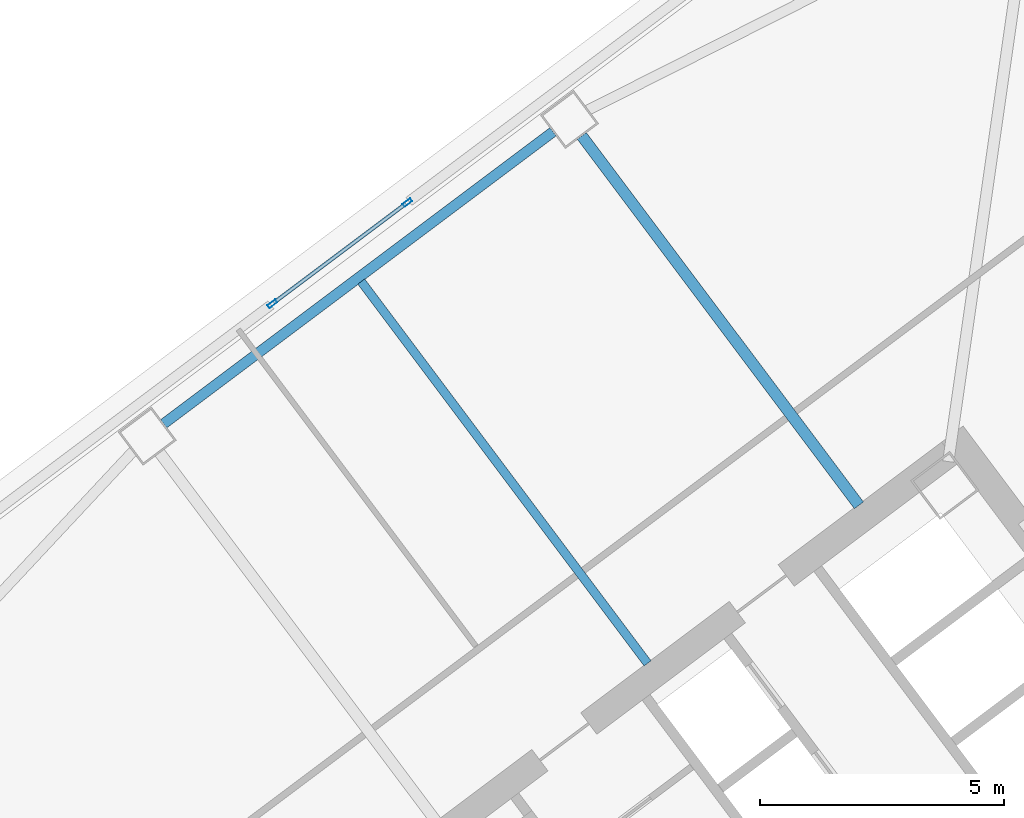
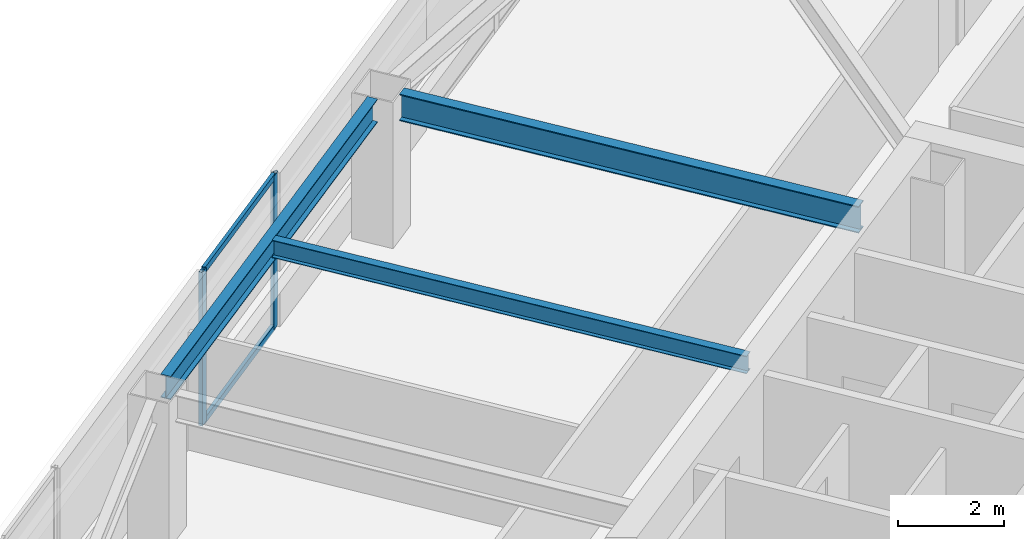
# One storey, part 28 of 44: 4 members, 3 beams, 1 element without a shape of its own.
"""IFC4 building model written with IfcOpenShell, lengths in metres."""

import ifcopenshell
import ifcopenshell.guid

model = None  # the IFC model being written
_history = None  # IfcOwnerHistory: only IFC2X3 demands one
_inside = {}  # id of a spatial element -> (the spatial element, [elements in it])
_under = {}  # id of a project, library or spatial element -> (it, [spatial elements below it])
_declared = {}  # id of a project -> (the project, [libraries it declares])
_typed = {}  # id of a type object -> (the type object, [elements of that type])
_made_of = {}  # id of a material, layer set ... -> (it, [elements and type objects made of it])


def new_model(schema):
    """Start an empty IFC model of exactly this schema.

    Asked for "IFC4X3", IfcOpenShell would pick the latest addendum, in which some entities
    have other attributes; the version numbers below select the first issue.
    IFC2X3 requires an IfcOwnerHistory on every rooted entity: one is made here for all.
    """
    global model, _history
    if schema == "IFC4X3":
        model = ifcopenshell.file(schema_version=(4, 3, 0, 0))
    else:
        model = ifcopenshell.file(schema=schema)
    _inside.clear()
    _under.clear()
    _declared.clear()
    _typed.clear()
    _made_of.clear()
    _history = None
    if model.schema == "IFC2X3":
        org = make("IfcOrganization", Name="unknown")
        user = make(
            "IfcPersonAndOrganization",
            ThePerson=make("IfcPerson", FamilyName="unknown"),
            TheOrganization=org,
        )
        app = make(
            "IfcApplication",
            ApplicationDeveloper=org,
            Version="unknown",
            ApplicationFullName="unknown",
            ApplicationIdentifier="unknown",
        )
        _history = make(
            "IfcOwnerHistory",
            OwningUser=user,
            OwningApplication=app,
            ChangeAction="ADDED",
            CreationDate=0,
        )
    return model


def make(cls, **values):
    """One entity of the class cls with the attributes given. An attribute that is None is left unset."""
    return model.create_entity(
        cls, **{name: value for name, value in values.items() if value is not None}
    )


def rooted(cls, **values):
    """An entity with a GlobalId (a new one), such as an element, a storey or a relation."""
    return make(cls, GlobalId=ifcopenshell.guid.new(), OwnerHistory=_history, **values)


def si_unit(unit_type, name, prefix=None):
    """IfcSIUnit, for example si_unit("LENGTHUNIT", "METRE", prefix="MILLI")."""
    return make("IfcSIUnit", UnitType=unit_type, Prefix=prefix, Name=name)


def assignment(units):
    """IfcUnitAssignment: the units of a project."""
    return None if units is None else make("IfcUnitAssignment", Units=units)


def point(xyz):
    """IfcCartesianPoint."""
    return None if xyz is None else make("IfcCartesianPoint", Coordinates=xyz)


def direction(xyz):
    """IfcDirection."""
    return None if xyz is None else make("IfcDirection", DirectionRatios=xyz)


def frame(location, z_axis=None, x_axis=None):
    """IfcAxis2Placement3D, a coordinate frame: its origin and axes. An axis left out is left unset."""
    return make(
        "IfcAxis2Placement3D",
        Location=point(location),
        Axis=direction(z_axis),
        RefDirection=direction(x_axis),
    )


def frame_2d(location, x_axis=None):
    """IfcAxis2Placement2D, a coordinate frame in the plane: its origin and x axis."""
    return make(
        "IfcAxis2Placement2D", Location=point(location), RefDirection=direction(x_axis)
    )


def origin():
    """The frame at (0, 0, 0) with its axes left unset."""
    return frame((0.0, 0.0, 0.0))


def origin_2d():
    """The frame at (0, 0) in the plane with its x axis left unset."""
    return frame_2d((0.0, 0.0))


def place(relative_to, where):
    """IfcLocalPlacement: puts the frame where relative to a parent placement (None: the world)."""
    return make(
        "IfcLocalPlacement", PlacementRelTo=relative_to, RelativePlacement=where
    )


def context(
    kind, dimensions, precision=None, world=None, true_north=None, identifier=None
):
    """IfcGeometricRepresentationContext, for example the 3D "Model" context."""
    return make(
        "IfcGeometricRepresentationContext",
        ContextIdentifier=identifier,
        ContextType=kind,
        CoordinateSpaceDimension=dimensions,
        Precision=precision,
        WorldCoordinateSystem=world,
        TrueNorth=true_north,
    )


def subcontext(parent, identifier, kind, view, scale=None):
    """IfcGeometricRepresentationSubContext, for example "Body" below "Model"."""
    return make(
        "IfcGeometricRepresentationSubContext",
        ContextIdentifier=identifier,
        ContextType=kind,
        ParentContext=parent,
        TargetScale=scale,
        TargetView=view,
    )


def project(units=None, contexts=None):
    """IfcProject with its units and contexts."""
    return rooted(
        "IfcProject",
        Name="project",
        RepresentationContexts=contexts,
        UnitsInContext=assignment(units),
    )


def spatial(cls, under=None, at=None, **own):
    """A site, building, storey or space (cls), placed at a placement, below another one or the project."""
    s = rooted(cls, ObjectPlacement=at, **own)
    if under is not None:
        _under.setdefault(under.id(), (under, []))[1].append(s)
    return s


def profile(cls, at=None, kind="AREA", **sizes):
    """A parametric profile (cls). Its sizes go by their IFC names, for example OverallWidth=200.0."""
    return make(cls, ProfileType=kind, Position=at, **sizes)


def hollow_rectangle(**sizes):
    """IfcRectangleHollowProfileDef."""
    return profile("IfcRectangleHollowProfileDef", **sizes)


def i_section(**sizes):
    """IfcIShapeProfileDef."""
    return profile("IfcIShapeProfileDef", **sizes)


def extrude(swept, where, along, depth):
    """IfcExtrudedAreaSolid: the profile swept, set in the frame where, extruded along a direction by depth."""
    return make(
        "IfcExtrudedAreaSolid",
        SweptArea=swept,
        Position=where,
        ExtrudedDirection=direction(along),
        Depth=depth,
    )


def shape(context_of_items, identifier, shape_type, items):
    """IfcShapeRepresentation: the items that make up one representation, for example the "Body"."""
    return make(
        "IfcShapeRepresentation",
        ContextOfItems=context_of_items,
        RepresentationIdentifier=identifier,
        RepresentationType=shape_type,
        Items=items,
    )


def material(Name=None, Category=None):
    """IfcMaterial."""
    return make("IfcMaterial", Name=Name, Category=Category)


def material_profile(
    of_material, cross_section, Name=None, Category=None, Priority=None
):
    """IfcMaterialProfile: a cross section and its material."""
    return make(
        "IfcMaterialProfile",
        Name=Name,
        Material=of_material,
        Profile=cross_section,
        Priority=Priority,
        Category=Category,
    )


def profile_set(profiles, Name=None, composite=None):
    """IfcMaterialProfileSet."""
    return make(
        "IfcMaterialProfileSet",
        Name=Name,
        MaterialProfiles=profiles,
        CompositeProfile=composite,
    )


def made_of(thing, what):
    """Note that an element or type object is made of a material, layer set ...; save() writes the relation."""
    if what is not None:
        _made_of.setdefault(what.id(), (what, []))[1].append(thing)
    return thing


def type_object(cls, material=None, **own):
    """A type object (cls), such as IfcWallType, which elements share."""
    return made_of(rooted(cls, **own), material)


def element(
    cls,
    number,
    at=None,
    inside=None,
    cuts=None,
    type_object=None,
    material=None,
    context=None,
    identifier="Body",
    shape_type=None,
    held_by="IfcProductDefinitionShape",
    body=None,
    shapes=None,
    **own,
):
    """One element of the class cls, such as IfcWall. Its Tag is "e" and its number.

    at: its placement. inside: the storey or other place that contains it. cuts: it is an
    opening in that element (IfcRelVoidsElement). A single representation is given by context,
    identifier, shape_type and body (its items); several are given by shapes. held_by: the class
    of the entity that holds the representations. save() writes the other relations.
    """
    e = rooted(cls, Tag="e%d" % number, ObjectPlacement=at, **own)
    if body is not None:
        shapes = [shape(context, identifier, shape_type, body)]
    if shapes is not None:
        e.Representation = make(held_by, Representations=shapes)
    if inside is not None:
        _inside.setdefault(inside.id(), (inside, []))[1].append(e)
    if cuts is not None:
        rooted(
            "IfcRelVoidsElement", RelatingBuildingElement=cuts, RelatedOpeningElement=e
        )
    if type_object is not None:
        _typed.setdefault(type_object.id(), (type_object, []))[1].append(e)
    return made_of(e, material)


def aggregate(whole, parts):
    """IfcRelAggregates: a whole, such as a stair, and the parts it consists of."""
    return rooted("IfcRelAggregates", RelatingObject=whole, RelatedObjects=parts)


def save(model, path):
    """Write the relations noted so far, then the file.

    IfcRelAggregates (storeys below a building ...), IfcRelContainedInSpatialStructure (elements
    in a storey), IfcRelDefinesByType, IfcRelAssociatesMaterial and IfcRelDeclares: one each for
    every whole, place, type object, material and project.
    """
    for whole, parts in _under.values():
        aggregate(whole, parts)
    for where, things in _inside.values():
        rooted(
            "IfcRelContainedInSpatialStructure",
            RelatedElements=things,
            RelatingStructure=where,
        )
    for kind, things in _typed.values():
        rooted("IfcRelDefinesByType", RelatedObjects=things, RelatingType=kind)
    for what, things in _made_of.values():
        rooted("IfcRelAssociatesMaterial", RelatedObjects=things, RelatingMaterial=what)
    for by, libraries in _declared.values():
        rooted("IfcRelDeclares", RelatingContext=by, RelatedDefinitions=libraries)
    model.write(path)


model = new_model("IFC4")

# Units and contexts
model_context = context("Model", 3, precision=1e-05, world=origin(), true_north=direction((0.0, 1.0)))
body_context = subcontext(model_context, "Body", "Model", "MODEL_VIEW")
ifc_project = project(units=[si_unit("LENGTHUNIT", "METRE"), si_unit("AREAUNIT", "SQUARE_METRE"), si_unit("VOLUMEUNIT", "CUBIC_METRE"), si_unit("PLANEANGLEUNIT", "RADIAN"), si_unit("MASSUNIT", "GRAM", prefix="KILO")], contexts=[model_context])

# Site, building, storey
site_placement = place(None, origin())
site = spatial("IfcSite", under=ifc_project, at=site_placement, CompositionType="ELEMENT")
building_placement = place(site_placement, origin())
building = spatial("IfcBuilding", under=site, at=building_placement, Name="Tashvorn Skyway Center", CompositionType="ELEMENT")
storey_placement = place(building_placement, frame((0.0, 0.0, 128.60009765625)))
storey = spatial("IfcBuildingStorey", under=building, at=storey_placement, Name="L34", CompositionType="ELEMENT", Elevation=128.60009765625)

# Beams
ifc_material_1 = material(Name="Steel ASTM A992 Grade 50", Category="steel")
ifc_material_profile_1 = material_profile(ifc_material_1, i_section(OverallWidth=0.22998046875, OverallDepth=0.616943359375, WebThickness=0.01318359375, FlangeThickness=0.022216796875, at=origin_2d()), Name="W24X94")
ifc_profile_set_1 = profile_set([ifc_material_profile_1], Name="Steel ASTM A992 Grade 50")
beam_type_1 = type_object("IfcBeamType", Name="BM-BEAM-W24X94", PredefinedType="BEAM", material=ifc_profile_set_1)
beam_1_placement = place(storey_placement, frame((107.98193359375, 49.02392578125, 3.0615234375), z_axis=(0.600020667896, -0.799984498661, 0.0), x_axis=(0.799984498661, 0.600020667896, 0.0)))
element("IfcBeam", 1, at=beam_1_placement, inside=storey, type_object=beam_type_1, Name="Tower 2 L34 Primary Floor Girder FC-N1", PredefinedType="BEAM", context=body_context, shape_type="SweptSolid", body=[
    extrude(i_section(OverallWidth=0.22998046875, OverallDepth=0.616943359375, WebThickness=0.01318359375, FlangeThickness=0.022216796875, at=origin_2d()), origin(), (0.0, 0.0, 1.0), 9.449951171875),
])
ifc_material_profile_2 = material_profile(ifc_material_1, i_section(OverallWidth=0.177978515625, OverallDepth=0.406005859375, WebThickness=0.0078125, FlangeThickness=0.0126953125, at=origin_2d()), Name="W16X40")
ifc_profile_set_2 = profile_set([ifc_material_profile_2], Name="Steel ASTM A992 Grade 50")
beam_type_2 = type_object("IfcBeamType", Name="BM-JOIST-W16X40", PredefinedType="JOIST", material=ifc_profile_set_2)
beam_2_placement = place(storey_placement, frame((109.325927734375, 38.23193359375, 3.1669921875), z_axis=(-0.599991997409, 0.800006001881, 0.0), x_axis=(-0.800006001881, -0.599991997409, 0.0)))
element("IfcBeam", 2, at=beam_2_placement, inside=storey, type_object=beam_type_2, Name="Tower 2 L34 Secondary Composite Joist JN", PredefinedType="JOIST", context=body_context, shape_type="SweptSolid", body=[
    extrude(i_section(OverallWidth=0.177978515625, OverallDepth=0.406005859375, WebThickness=0.0078125, FlangeThickness=0.0126953125, at=origin_2d()), origin(), (0.0, 0.0, 1.0), 9.762451171875),
])
ifc_material_profile_3 = material_profile(ifc_material_1, i_section(OverallWidth=0.2109375, OverallDepth=0.5390625, WebThickness=0.01171875, FlangeThickness=0.018798828125, at=origin_2d()), Name="W21X73")
ifc_profile_set_3 = profile_set([ifc_material_profile_3], Name="Steel ASTM A992 Grade 50")
beam_type_3 = type_object("IfcBeamType", Name="BM-SPANDREL-W21X73", PredefinedType="SPANDREL", material=ifc_profile_set_3)
beam_3_placement = place(storey_placement, frame((107.39404296875, 49.10791015625, 3.100341796875), z_axis=(-0.800008824351, -0.599988234018, 0.0), x_axis=(0.599988234018, -0.800008824351, 0.0)))
element("IfcBeam", 3, at=beam_3_placement, inside=storey, type_object=beam_type_3, Name="Tower 2 L34 Spandrel Beam 08", PredefinedType="SPANDREL", context=body_context, shape_type="SweptSolid", body=[
    extrude(i_section(OverallWidth=0.2109375, OverallDepth=0.5390625, WebThickness=0.01171875, FlangeThickness=0.018798828125, at=origin_2d()), origin(), (0.0, 0.0, 1.0), 9.9599609375),
])

# Curtain wall, members
ifc_material_2 = material(Name="Thermally broken bronze-anodized aluminium 6063-T6", Category="aluminium")
curtain_wall_type = type_object("IfcCurtainWallType", Name="CW-CW-Z3", PredefinedType="NOTDEFINED", material=ifc_material_2)
curtain_wall_placement = place(storey_placement, origin())
curtain_wall = element("IfcCurtainWall", 4, at=curtain_wall_placement, inside=storey, type_object=curtain_wall_type, Name="Tower 2 L34 North Unitised Curtain Wall Glazing Group 2", PredefinedType="NOTDEFINED")
ifc_material_profile_4 = material_profile(ifc_material_2, hollow_rectangle(XDim=0.074951171875, YDim=0.199951171875, WallThickness=0.00439453125, at=origin_2d()), Name="ALU-MULL-75x200")
ifc_profile_set_4 = profile_set([ifc_material_profile_4], Name="Thermally broken bronze-anodized aluminium 6063-T6")
member_type_1 = type_object("IfcMemberType", Name="CWM-CW-Z3", PredefinedType="MULLION", material=ifc_profile_set_4)
member_1_placement = place(storey_placement, frame((101.650390625, 45.587890625, 0.0), z_axis=(0.0, 0.0, 1.0), x_axis=(-0.600000000002, 0.799999999998, 0.0)))
member_1 = element("IfcMember", 5, at=member_1_placement, type_object=member_type_1, Name="CW-Z3 mullion 1", PredefinedType="MULLION", context=body_context, shape_type="SweptSolid", body=[
    extrude(hollow_rectangle(XDim=0.074951171875, YDim=0.199951171875, WallThickness=0.00439453125, at=origin_2d()), origin(), (0.0, 0.0, 1.0), 3.5498046875),
])
member_2_placement = place(storey_placement, frame((104.41357421875, 47.66015625, 0.0), z_axis=(0.0, 0.0, 1.0), x_axis=(-0.600000000002, 0.799999999998, 0.0)))
member_2 = element("IfcMember", 6, at=member_2_placement, type_object=member_type_1, Name="CW-Z3 mullion 2", PredefinedType="MULLION", context=body_context, shape_type="SweptSolid", body=[
    extrude(hollow_rectangle(XDim=0.074951171875, YDim=0.199951171875, WallThickness=0.00439453125, at=origin_2d()), origin(), (0.0, 0.0, 1.0), 3.5498046875),
])
ifc_material_profile_5 = material_profile(ifc_material_2, hollow_rectangle(XDim=0.074951171875, YDim=0.139892578125, WallThickness=0.004150390625, at=origin_2d()), Name="ALU-TRAN-75x140")
ifc_profile_set_5 = profile_set([ifc_material_profile_5], Name="Thermally broken bronze-anodized aluminium 6063-T6")
member_type_2 = type_object("IfcMemberType", Name="CWT-CW-Z3", PredefinedType="USERDEFINED", material=ifc_profile_set_5)
member_3_placement = place(storey_placement, frame((101.680419921875, 45.6103515625, 0.037353515625), z_axis=(0.8, 0.6, 0.0), x_axis=(-0.6, 0.8, 0.0)))
member_3 = element("IfcMember", 7, at=member_3_placement, type_object=member_type_2, Name="CW-Z3 transom 1.1", ObjectType="TRANSOM", PredefinedType="USERDEFINED", context=body_context, shape_type="SweptSolid", body=[
    extrude(hollow_rectangle(XDim=0.074951171875, YDim=0.139892578125, WallThickness=0.004150390625, at=origin_2d()), origin(), (0.0, 0.0, 1.0), 3.37890625),
])
member_4_placement = place(storey_placement, frame((101.680419921875, 45.6103515625, 3.512451171875), z_axis=(0.8, 0.6, 0.0), x_axis=(-0.6, 0.8, 0.0)))
member_4 = element("IfcMember", 8, at=member_4_placement, type_object=member_type_2, Name="CW-Z3 transom 1.2", ObjectType="TRANSOM", PredefinedType="USERDEFINED", context=body_context, shape_type="SweptSolid", body=[
    extrude(hollow_rectangle(XDim=0.074951171875, YDim=0.139892578125, WallThickness=0.004150390625, at=origin_2d()), origin(), (0.0, 0.0, 1.0), 3.37890625),
])
aggregate(curtain_wall, [member_1, member_2, member_3, member_4])

save(model, "model.ifc")
